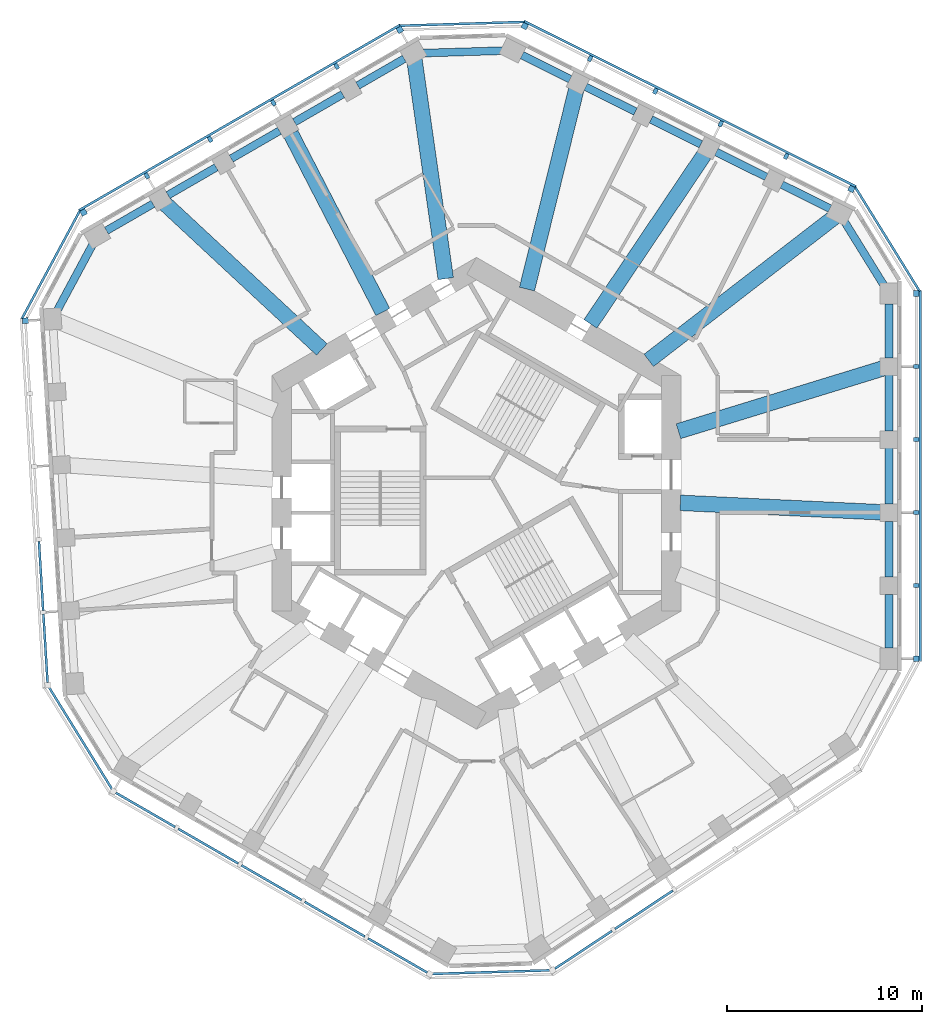
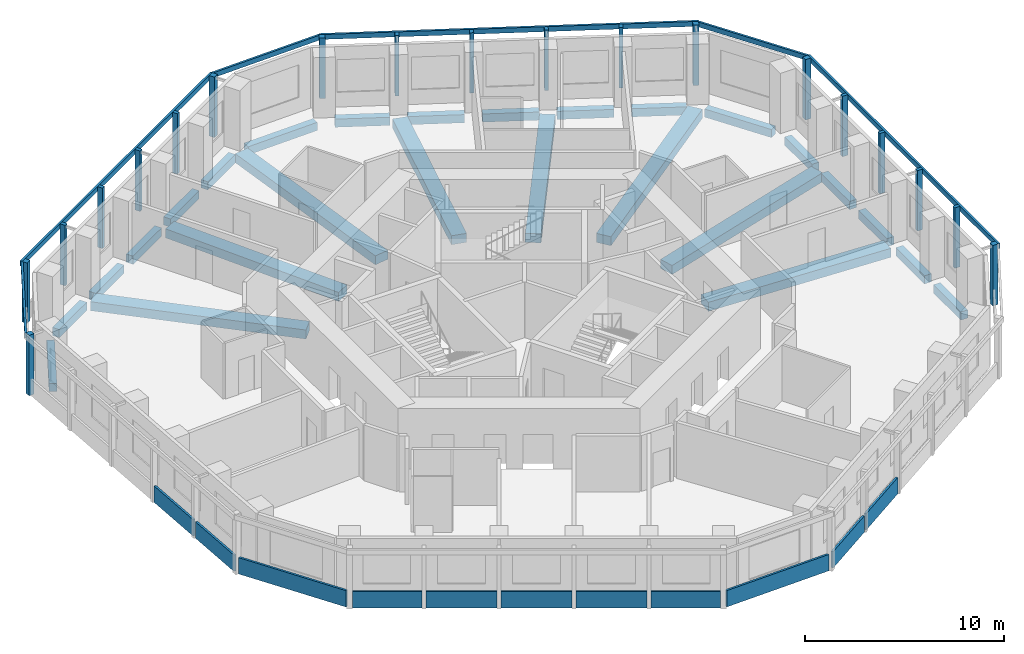
# One storey, part 2 of 11: 26 beams, 25 members, 11 plates, 11 elements without a shape of their own.
"""IFC4 building model written with IfcOpenShell, lengths in metres."""

import ifcopenshell
import ifcopenshell.guid

model = None  # the IFC model being written
_history = None  # IfcOwnerHistory: only IFC2X3 demands one
_inside = {}  # id of a spatial element -> (the spatial element, [elements in it])
_under = {}  # id of a project, library or spatial element -> (it, [spatial elements below it])
_declared = {}  # id of a project -> (the project, [libraries it declares])
_typed = {}  # id of a type object -> (the type object, [elements of that type])
_made_of = {}  # id of a material, layer set ... -> (it, [elements and type objects made of it])


def new_model(schema):
    """Start an empty IFC model of exactly this schema.

    Asked for "IFC4X3", IfcOpenShell would pick the latest addendum, in which some entities
    have other attributes; the version numbers below select the first issue.
    IFC2X3 requires an IfcOwnerHistory on every rooted entity: one is made here for all.
    """
    global model, _history
    if schema == "IFC4X3":
        model = ifcopenshell.file(schema_version=(4, 3, 0, 0))
    else:
        model = ifcopenshell.file(schema=schema)
    _inside.clear()
    _under.clear()
    _declared.clear()
    _typed.clear()
    _made_of.clear()
    _history = None
    if model.schema == "IFC2X3":
        org = make("IfcOrganization", Name="unknown")
        user = make(
            "IfcPersonAndOrganization",
            ThePerson=make("IfcPerson", FamilyName="unknown"),
            TheOrganization=org,
        )
        app = make(
            "IfcApplication",
            ApplicationDeveloper=org,
            Version="unknown",
            ApplicationFullName="unknown",
            ApplicationIdentifier="unknown",
        )
        _history = make(
            "IfcOwnerHistory",
            OwningUser=user,
            OwningApplication=app,
            ChangeAction="ADDED",
            CreationDate=0,
        )
    return model


def make(cls, **values):
    """One entity of the class cls with the attributes given. An attribute that is None is left unset."""
    return model.create_entity(
        cls, **{name: value for name, value in values.items() if value is not None}
    )


def rooted(cls, **values):
    """An entity with a GlobalId (a new one), such as an element, a storey or a relation."""
    return make(cls, GlobalId=ifcopenshell.guid.new(), OwnerHistory=_history, **values)


def si_unit(unit_type, name, prefix=None):
    """IfcSIUnit, for example si_unit("LENGTHUNIT", "METRE", prefix="MILLI")."""
    return make("IfcSIUnit", UnitType=unit_type, Prefix=prefix, Name=name)


def assignment(units):
    """IfcUnitAssignment: the units of a project."""
    return None if units is None else make("IfcUnitAssignment", Units=units)


def point(xyz):
    """IfcCartesianPoint."""
    return None if xyz is None else make("IfcCartesianPoint", Coordinates=xyz)


def direction(xyz):
    """IfcDirection."""
    return None if xyz is None else make("IfcDirection", DirectionRatios=xyz)


def frame(location, z_axis=None, x_axis=None):
    """IfcAxis2Placement3D, a coordinate frame: its origin and axes. An axis left out is left unset."""
    return make(
        "IfcAxis2Placement3D",
        Location=point(location),
        Axis=direction(z_axis),
        RefDirection=direction(x_axis),
    )


def frame_2d(location, x_axis=None):
    """IfcAxis2Placement2D, a coordinate frame in the plane: its origin and x axis."""
    return make(
        "IfcAxis2Placement2D", Location=point(location), RefDirection=direction(x_axis)
    )


def origin():
    """The frame at (0, 0, 0) with its axes left unset."""
    return frame((0.0, 0.0, 0.0))


def origin_2d():
    """The frame at (0, 0) in the plane with its x axis left unset."""
    return frame_2d((0.0, 0.0))


def place(relative_to, where):
    """IfcLocalPlacement: puts the frame where relative to a parent placement (None: the world)."""
    return make(
        "IfcLocalPlacement", PlacementRelTo=relative_to, RelativePlacement=where
    )


def context(
    kind, dimensions, precision=None, world=None, true_north=None, identifier=None
):
    """IfcGeometricRepresentationContext, for example the 3D "Model" context."""
    return make(
        "IfcGeometricRepresentationContext",
        ContextIdentifier=identifier,
        ContextType=kind,
        CoordinateSpaceDimension=dimensions,
        Precision=precision,
        WorldCoordinateSystem=world,
        TrueNorth=true_north,
    )


def subcontext(parent, identifier, kind, view, scale=None):
    """IfcGeometricRepresentationSubContext, for example "Body" below "Model"."""
    return make(
        "IfcGeometricRepresentationSubContext",
        ContextIdentifier=identifier,
        ContextType=kind,
        ParentContext=parent,
        TargetScale=scale,
        TargetView=view,
    )


def project(units=None, contexts=None):
    """IfcProject with its units and contexts."""
    return rooted(
        "IfcProject",
        Name="project",
        RepresentationContexts=contexts,
        UnitsInContext=assignment(units),
    )


def spatial(cls, under=None, at=None, **own):
    """A site, building, storey or space (cls), placed at a placement, below another one or the project."""
    s = rooted(cls, ObjectPlacement=at, **own)
    if under is not None:
        _under.setdefault(under.id(), (under, []))[1].append(s)
    return s


def profile(cls, at=None, kind="AREA", **sizes):
    """A parametric profile (cls). Its sizes go by their IFC names, for example OverallWidth=200.0."""
    return make(cls, ProfileType=kind, Position=at, **sizes)


def rectangle(**sizes):
    """IfcRectangleProfileDef."""
    return profile("IfcRectangleProfileDef", **sizes)


def extrude(swept, where, along, depth):
    """IfcExtrudedAreaSolid: the profile swept, set in the frame where, extruded along a direction by depth."""
    return make(
        "IfcExtrudedAreaSolid",
        SweptArea=swept,
        Position=where,
        ExtrudedDirection=direction(along),
        Depth=depth,
    )


def shape(context_of_items, identifier, shape_type, items):
    """IfcShapeRepresentation: the items that make up one representation, for example the "Body"."""
    return make(
        "IfcShapeRepresentation",
        ContextOfItems=context_of_items,
        RepresentationIdentifier=identifier,
        RepresentationType=shape_type,
        Items=items,
    )


def material(Name=None, Category=None):
    """IfcMaterial."""
    return make("IfcMaterial", Name=Name, Category=Category)


def layer(
    of_material, thickness, ventilated=None, Name=None, Category=None, Priority=None
):
    """IfcMaterialLayer: one layer of a wall or slab, of a material (None: an air gap)."""
    return make(
        "IfcMaterialLayer",
        Material=of_material,
        LayerThickness=thickness,
        IsVentilated=ventilated,
        Name=Name,
        Category=Category,
        Priority=Priority,
    )


def layer_set(layers, Name=None):
    """IfcMaterialLayerSet."""
    return make("IfcMaterialLayerSet", MaterialLayers=layers, LayerSetName=Name)


def material_profile(
    of_material, cross_section, Name=None, Category=None, Priority=None
):
    """IfcMaterialProfile: a cross section and its material."""
    return make(
        "IfcMaterialProfile",
        Name=Name,
        Material=of_material,
        Profile=cross_section,
        Priority=Priority,
        Category=Category,
    )


def profile_set(profiles, Name=None, composite=None):
    """IfcMaterialProfileSet."""
    return make(
        "IfcMaterialProfileSet",
        Name=Name,
        MaterialProfiles=profiles,
        CompositeProfile=composite,
    )


def made_of(thing, what):
    """Note that an element or type object is made of a material, layer set ...; save() writes the relation."""
    if what is not None:
        _made_of.setdefault(what.id(), (what, []))[1].append(thing)
    return thing


def type_object(cls, material=None, **own):
    """A type object (cls), such as IfcWallType, which elements share."""
    return made_of(rooted(cls, **own), material)


def element(
    cls,
    number,
    at=None,
    inside=None,
    cuts=None,
    type_object=None,
    material=None,
    context=None,
    identifier="Body",
    shape_type=None,
    held_by="IfcProductDefinitionShape",
    body=None,
    shapes=None,
    **own,
):
    """One element of the class cls, such as IfcWall. Its Tag is "e" and its number.

    at: its placement. inside: the storey or other place that contains it. cuts: it is an
    opening in that element (IfcRelVoidsElement). A single representation is given by context,
    identifier, shape_type and body (its items); several are given by shapes. held_by: the class
    of the entity that holds the representations. save() writes the other relations.
    """
    e = rooted(cls, Tag="e%d" % number, ObjectPlacement=at, **own)
    if body is not None:
        shapes = [shape(context, identifier, shape_type, body)]
    if shapes is not None:
        e.Representation = make(held_by, Representations=shapes)
    if inside is not None:
        _inside.setdefault(inside.id(), (inside, []))[1].append(e)
    if cuts is not None:
        rooted(
            "IfcRelVoidsElement", RelatingBuildingElement=cuts, RelatedOpeningElement=e
        )
    if type_object is not None:
        _typed.setdefault(type_object.id(), (type_object, []))[1].append(e)
    return made_of(e, material)


def aggregate(whole, parts):
    """IfcRelAggregates: a whole, such as a stair, and the parts it consists of."""
    return rooted("IfcRelAggregates", RelatingObject=whole, RelatedObjects=parts)


def save(model, path):
    """Write the relations noted so far, then the file.

    IfcRelAggregates (storeys below a building ...), IfcRelContainedInSpatialStructure (elements
    in a storey), IfcRelDefinesByType, IfcRelAssociatesMaterial and IfcRelDeclares: one each for
    every whole, place, type object, material and project.
    """
    for whole, parts in _under.values():
        aggregate(whole, parts)
    for where, things in _inside.values():
        rooted(
            "IfcRelContainedInSpatialStructure",
            RelatedElements=things,
            RelatingStructure=where,
        )
    for kind, things in _typed.values():
        rooted("IfcRelDefinesByType", RelatedObjects=things, RelatingType=kind)
    for what, things in _made_of.values():
        rooted("IfcRelAssociatesMaterial", RelatedObjects=things, RelatingMaterial=what)
    for by, libraries in _declared.values():
        rooted("IfcRelDeclares", RelatingContext=by, RelatedDefinitions=libraries)
    model.write(path)


model = new_model("IFC4")

# Units and contexts
model_context = context("Model", 3, precision=1e-05, world=origin(), true_north=direction((0.0, 1.0)))
body_context = subcontext(model_context, "Body", "Model", "MODEL_VIEW")
ifc_project = project(units=[si_unit("LENGTHUNIT", "METRE"), si_unit("AREAUNIT", "SQUARE_METRE"), si_unit("VOLUMEUNIT", "CUBIC_METRE"), si_unit("PLANEANGLEUNIT", "RADIAN"), si_unit("MASSUNIT", "GRAM", prefix="KILO")], contexts=[model_context])

# Site, building, storey
site_placement = place(None, origin())
site = spatial("IfcSite", under=ifc_project, at=site_placement, CompositionType="ELEMENT")
building_placement = place(site_placement, origin())
building = spatial("IfcBuilding", under=site, at=building_placement, Name="Vanh Sen Convention Tower", CompositionType="ELEMENT")
storey_placement = place(building_placement, frame((0.0, 0.0, 183.60009765625)))
storey = spatial("IfcBuildingStorey", under=building, at=storey_placement, Name="L45", CompositionType="ELEMENT", Elevation=183.60009765625)

# Curtain wall, members
ifc_material_1 = material(Name="Concrete C50/60", Category="concrete")
curtain_wall_type = type_object("IfcCurtainWallType", Name="Outer skin office zone", PredefinedType="NOTDEFINED", material=ifc_material_1)
curtain_wall_1_placement = place(storey_placement, origin())
curtain_wall_1 = element("IfcCurtainWall", 1, at=curtain_wall_1_placement, inside=storey, type_object=curtain_wall_type, Name="OUTER SKIN E L45", PredefinedType="NOTDEFINED")
ifc_material_profile_1 = material_profile(ifc_material_1, rectangle(XDim=0.300048828125, YDim=0.300048828125, at=origin_2d()), Name="Outer skin precast corner fin 300 x 300")
ifc_profile_set_1 = profile_set([ifc_material_profile_1], Name="Concrete C50/60")
member_type_1 = type_object("IfcMemberType", Name="Outer skin precast corner fin 300 x 300", PredefinedType="MULLION", material=ifc_profile_set_1)
member_1_placement = place(storey_placement, frame((22.60009765625, -8.5009765625, 0.0), z_axis=(0.0, 0.0, 1.0), x_axis=(0.0, 1.0, 0.0)))
member_1 = element("IfcMember", 2, at=member_1_placement, type_object=member_type_1, Name="OUTER SKIN CORNER FIN 1 E L45", PredefinedType="MULLION", context=body_context, shape_type="SweptSolid", body=[
    extrude(rectangle(XDim=0.300048828125, YDim=0.300048828125, at=origin_2d()), origin(), (0.0, 0.0, 1.0), 3.699951171875),
])
member_2_placement = place(storey_placement, frame((22.60009765625, 10.26953125, 0.0), z_axis=(0.0, 0.0, 1.0), x_axis=(0.0, 1.0, 0.0)))
member_2 = element("IfcMember", 3, at=member_2_placement, type_object=member_type_1, Name="OUTER SKIN CORNER FIN 6 E L45", PredefinedType="MULLION", context=body_context, shape_type="SweptSolid", body=[
    extrude(rectangle(XDim=0.300048828125, YDim=0.300048828125, at=origin_2d()), origin(), (0.0, 0.0, 1.0), 3.699951171875),
])

curtain_wall_2_placement = place(storey_placement, origin())
curtain_wall_2 = element("IfcCurtainWall", 4, at=curtain_wall_2_placement, inside=storey, type_object=curtain_wall_type, Name="OUTER SKIN NE L45", PredefinedType="NOTDEFINED")
member_3_placement = place(storey_placement, frame((19.274658203125, 15.643310546875, 0.0), z_axis=(0.0, 0.0, 1.0), x_axis=(-0.894934361602, 0.44619781311, 0.0)))
member_3 = element("IfcMember", 5, at=member_3_placement, type_object=member_type_1, Name="OUTER SKIN CORNER FIN 1 NE L45", PredefinedType="MULLION", context=body_context, shape_type="SweptSolid", body=[
    extrude(rectangle(XDim=0.300048828125, YDim=0.300048828125, at=origin_2d()), origin(), (0.0, 0.0, 1.0), 3.699951171875),
])
member_4_placement = place(storey_placement, frame((2.476318359375, 24.0185546875, 0.0), z_axis=(0.0, 0.0, 1.0), x_axis=(-0.894934361602, 0.44619781311, 0.0)))
member_4 = element("IfcMember", 6, at=member_4_placement, type_object=member_type_1, Name="OUTER SKIN CORNER FIN 6 NE L45", PredefinedType="MULLION", context=body_context, shape_type="SweptSolid", body=[
    extrude(rectangle(XDim=0.300048828125, YDim=0.300048828125, at=origin_2d()), origin(), (0.0, 0.0, 1.0), 3.699951171875),
])

curtain_wall_3_placement = place(storey_placement, origin())
curtain_wall_3 = element("IfcCurtainWall", 7, at=curtain_wall_3_placement, inside=storey, type_object=curtain_wall_type, Name="OUTER SKIN NW L45", PredefinedType="NOTDEFINED")
member_5_placement = place(storey_placement, frame((-3.93798828125, 23.822509765625, 0.0), z_axis=(0.0, 0.0, 1.0), x_axis=(-0.866025403784, -0.5, 0.0)))
member_5 = element("IfcMember", 8, at=member_5_placement, type_object=member_type_1, Name="OUTER SKIN CORNER FIN 1 NW L45", PredefinedType="MULLION", context=body_context, shape_type="SweptSolid", body=[
    extrude(rectangle(XDim=0.300048828125, YDim=0.300048828125, at=origin_2d()), origin(), (0.0, 0.0, 1.0), 3.699951171875),
])
member_6_placement = place(storey_placement, frame((-20.193603515625, 14.4375, 0.0), z_axis=(0.0, 0.0, 1.0), x_axis=(-0.866025403784, -0.5, 0.0)))
member_6 = element("IfcMember", 9, at=member_6_placement, type_object=member_type_1, Name="OUTER SKIN CORNER FIN 6 NW L45", PredefinedType="MULLION", context=body_context, shape_type="SweptSolid", body=[
    extrude(rectangle(XDim=0.300048828125, YDim=0.300048828125, at=origin_2d()), origin(), (0.0, 0.0, 1.0), 3.699951171875),
])

# Curtain wall, member
curtain_wall_4_placement = place(storey_placement, origin())
curtain_wall_4 = element("IfcCurtainWall", 10, at=curtain_wall_4_placement, inside=storey, type_object=curtain_wall_type, Name="OUTER SKIN W L45", PredefinedType="NOTDEFINED")
member_7_placement = place(storey_placement, frame((-23.184814453125, 8.87060546875, 0.0), z_axis=(0.0, 0.0, 1.0), x_axis=(0.061048539535, -0.998134798422, 0.0)))
member_7 = element("IfcMember", 11, at=member_7_placement, type_object=member_type_1, Name="OUTER SKIN CORNER FIN 1 W L45", PredefinedType="MULLION", context=body_context, shape_type="SweptSolid", body=[
    extrude(rectangle(XDim=0.300048828125, YDim=0.300048828125, at=origin_2d()), origin(), (0.0, 0.0, 1.0), 3.699951171875),
])

# Member
ifc_material_profile_2 = material_profile(ifc_material_1, rectangle(XDim=0.199951171875, YDim=0.300048828125, at=origin_2d()), Name="Outer skin precast fin 200 x 300")
ifc_profile_set_2 = profile_set([ifc_material_profile_2], Name="Concrete C50/60")
member_type_2 = type_object("IfcMemberType", Name="Outer skin precast fin 200 x 300", PredefinedType="MULLION", material=ifc_profile_set_2)
member_8_placement = place(storey_placement, frame((22.60009765625, -4.746826171875, 0.0), z_axis=(0.0, 0.0, 1.0), x_axis=(0.0, 1.0, 0.0)))
member_8 = element("IfcMember", 12, at=member_8_placement, type_object=member_type_2, Name="OUTER SKIN fin 2 E L45", PredefinedType="MULLION", context=body_context, shape_type="SweptSolid", body=[
    extrude(rectangle(XDim=0.199951171875, YDim=0.300048828125, at=origin_2d()), origin(), (0.0, 0.0, 1.0), 3.699951171875),
])

member_9_placement = place(storey_placement, frame((22.60009765625, -0.992919921875, 0.0), z_axis=(0.0, 0.0, 1.0), x_axis=(0.0, 1.0, 0.0)))
member_9 = element("IfcMember", 13, at=member_9_placement, type_object=member_type_2, Name="OUTER SKIN fin 3 E L45", PredefinedType="MULLION", context=body_context, shape_type="SweptSolid", body=[
    extrude(rectangle(XDim=0.199951171875, YDim=0.300048828125, at=origin_2d()), origin(), (0.0, 0.0, 1.0), 3.699951171875),
])

member_10_placement = place(storey_placement, frame((22.60009765625, 2.76123046875, 0.0), z_axis=(0.0, 0.0, 1.0), x_axis=(0.0, 1.0, 0.0)))
member_10 = element("IfcMember", 14, at=member_10_placement, type_object=member_type_2, Name="OUTER SKIN fin 4 E L45", PredefinedType="MULLION", context=body_context, shape_type="SweptSolid", body=[
    extrude(rectangle(XDim=0.199951171875, YDim=0.300048828125, at=origin_2d()), origin(), (0.0, 0.0, 1.0), 3.699951171875),
])

member_11_placement = place(storey_placement, frame((22.60009765625, 6.515380859375, 0.0), z_axis=(0.0, 0.0, 1.0), x_axis=(0.0, 1.0, 0.0)))
member_11 = element("IfcMember", 15, at=member_11_placement, type_object=member_type_2, Name="OUTER SKIN fin 5 E L45", PredefinedType="MULLION", context=body_context, shape_type="SweptSolid", body=[
    extrude(rectangle(XDim=0.199951171875, YDim=0.300048828125, at=origin_2d()), origin(), (0.0, 0.0, 1.0), 3.699951171875),
])

member_12_placement = place(storey_placement, frame((15.9150390625, 17.318359375, 0.0), z_axis=(0.0, 0.0, 1.0), x_axis=(-0.894934361602, 0.44619781311, 0.0)))
member_12 = element("IfcMember", 16, at=member_12_placement, type_object=member_type_2, Name="OUTER SKIN fin 2 NE L45", PredefinedType="MULLION", context=body_context, shape_type="SweptSolid", body=[
    extrude(rectangle(XDim=0.199951171875, YDim=0.300048828125, at=origin_2d()), origin(), (0.0, 0.0, 1.0), 3.699951171875),
])

member_13_placement = place(storey_placement, frame((12.555419921875, 18.993408203125, 0.0), z_axis=(0.0, 0.0, 1.0), x_axis=(-0.894934361602, 0.44619781311, 0.0)))
member_13 = element("IfcMember", 17, at=member_13_placement, type_object=member_type_2, Name="OUTER SKIN fin 3 NE L45", PredefinedType="MULLION", context=body_context, shape_type="SweptSolid", body=[
    extrude(rectangle(XDim=0.199951171875, YDim=0.300048828125, at=origin_2d()), origin(), (0.0, 0.0, 1.0), 3.699951171875),
])

member_14_placement = place(storey_placement, frame((9.195556640625, 20.66845703125, 0.0), z_axis=(0.0, 0.0, 1.0), x_axis=(-0.894934361602, 0.44619781311, 0.0)))
member_14 = element("IfcMember", 18, at=member_14_placement, type_object=member_type_2, Name="OUTER SKIN fin 4 NE L45", PredefinedType="MULLION", context=body_context, shape_type="SweptSolid", body=[
    extrude(rectangle(XDim=0.199951171875, YDim=0.300048828125, at=origin_2d()), origin(), (0.0, 0.0, 1.0), 3.699951171875),
])

member_15_placement = place(storey_placement, frame((5.8359375, 22.343505859375, 0.0), z_axis=(0.0, 0.0, 1.0), x_axis=(-0.894934361602, 0.44619781311, 0.0)))
member_15 = element("IfcMember", 19, at=member_15_placement, type_object=member_type_2, Name="OUTER SKIN fin 5 NE L45", PredefinedType="MULLION", context=body_context, shape_type="SweptSolid", body=[
    extrude(rectangle(XDim=0.199951171875, YDim=0.300048828125, at=origin_2d()), origin(), (0.0, 0.0, 1.0), 3.699951171875),
])

member_16_placement = place(storey_placement, frame((-7.189208984375, 21.945556640625, 0.0), z_axis=(0.0, 0.0, 1.0), x_axis=(-0.866025403784, -0.5, 0.0)))
member_16 = element("IfcMember", 20, at=member_16_placement, type_object=member_type_2, Name="OUTER SKIN fin 2 NW L45", PredefinedType="MULLION", context=body_context, shape_type="SweptSolid", body=[
    extrude(rectangle(XDim=0.199951171875, YDim=0.300048828125, at=origin_2d()), origin(), (0.0, 0.0, 1.0), 3.699951171875),
])

member_17_placement = place(storey_placement, frame((-10.440185546875, 20.068603515625, 0.0), z_axis=(0.0, 0.0, 1.0), x_axis=(-0.866025403784, -0.5, 0.0)))
member_17 = element("IfcMember", 21, at=member_17_placement, type_object=member_type_2, Name="OUTER SKIN fin 3 NW L45", PredefinedType="MULLION", context=body_context, shape_type="SweptSolid", body=[
    extrude(rectangle(XDim=0.199951171875, YDim=0.300048828125, at=origin_2d()), origin(), (0.0, 0.0, 1.0), 3.699951171875),
])

member_18_placement = place(storey_placement, frame((-13.69140625, 18.19140625, 0.0), z_axis=(0.0, 0.0, 1.0), x_axis=(-0.866025403784, -0.5, 0.0)))
member_18 = element("IfcMember", 22, at=member_18_placement, type_object=member_type_2, Name="OUTER SKIN fin 4 NW L45", PredefinedType="MULLION", context=body_context, shape_type="SweptSolid", body=[
    extrude(rectangle(XDim=0.199951171875, YDim=0.300048828125, at=origin_2d()), origin(), (0.0, 0.0, 1.0), 3.699951171875),
])

member_19_placement = place(storey_placement, frame((-16.9423828125, 16.314453125, 0.0), z_axis=(0.0, 0.0, 1.0), x_axis=(-0.866025403784, -0.5, 0.0)))
member_19 = element("IfcMember", 23, at=member_19_placement, type_object=member_type_2, Name="OUTER SKIN fin 5 NW L45", PredefinedType="MULLION", context=body_context, shape_type="SweptSolid", body=[
    extrude(rectangle(XDim=0.199951171875, YDim=0.300048828125, at=origin_2d()), origin(), (0.0, 0.0, 1.0), 3.699951171875),
])

ifc_material_profile_3 = material_profile(ifc_material_1, rectangle(XDim=0.1201171875, YDim=0.300048828125, at=origin_2d()), Name="Outer skin precast spandrel band 300 x 120")
ifc_profile_set_3 = profile_set([ifc_material_profile_3], Name="Concrete C50/60")
member_type_3 = type_object("IfcMemberType", Name="Outer skin precast spandrel band 300 x 120", PredefinedType="USERDEFINED", material=ifc_profile_set_3)
member_20_placement = place(storey_placement, frame((22.81005859375, -8.65087890625, 3.5498046875), z_axis=(0.0, 1.0, 0.0), x_axis=(-1.0, 0.0, 0.0)))
member_20 = element("IfcMember", 24, at=member_20_placement, type_object=member_type_3, Name="OUTER SKIN spandrel band E L45", ObjectType="TRANSOM", PredefinedType="USERDEFINED", context=body_context, shape_type="SweptSolid", body=[
    extrude(rectangle(XDim=0.1201171875, YDim=0.300048828125, at=origin_2d()), origin(), (0.0, 0.0, 1.0), 19.0703125),
])

aggregate(curtain_wall_1, [member_1, member_8, member_9, member_10, member_11, member_2, member_20])

# Curtain wall, member
curtain_wall_5_placement = place(storey_placement, origin())
curtain_wall_5 = element("IfcCurtainWall", 25, at=curtain_wall_5_placement, inside=storey, type_object=curtain_wall_type, Name="OUTER SKIN CH1 L45", PredefinedType="NOTDEFINED")
member_21_placement = place(storey_placement, frame((22.778564453125, 10.3798828125, 3.5498046875), z_axis=(-0.526173726926, 0.850377098171, 0.0), x_axis=(-0.850377098171, -0.526173726926, 0.0)))
member_21 = element("IfcMember", 26, at=member_21_placement, type_object=member_type_3, Name="OUTER SKIN spandrel band CH1 L45", ObjectType="TRANSOM", PredefinedType="USERDEFINED", context=body_context, shape_type="SweptSolid", body=[
    extrude(rectangle(XDim=0.1201171875, YDim=0.300048828125, at=origin_2d()), origin(), (0.0, 0.0, 1.0), 6.319580078125),
])
aggregate(curtain_wall_5, [member_21])

# Member
member_22_placement = place(storey_placement, frame((19.502685546875, 15.764404296875, 3.5498046875), z_axis=(-0.894941234474, 0.446184027996, 0.0), x_axis=(-0.446184027996, -0.894941234474, 0.0)))
member_22 = element("IfcMember", 27, at=member_22_placement, type_object=member_type_3, Name="OUTER SKIN spandrel band NE L45", ObjectType="TRANSOM", PredefinedType="USERDEFINED", context=body_context, shape_type="SweptSolid", body=[
    extrude(rectangle(XDim=0.1201171875, YDim=0.300048828125, at=origin_2d()), origin(), (0.0, 0.0, 1.0), 19.07080078125),
])

aggregate(curtain_wall_2, [member_3, member_12, member_13, member_14, member_15, member_4, member_22])

# Curtain wall, member
curtain_wall_6_placement = place(storey_placement, origin())
curtain_wall_6 = element("IfcCurtainWall", 28, at=curtain_wall_6_placement, inside=storey, type_object=curtain_wall_type, Name="OUTER SKIN CH2 L45", PredefinedType="NOTDEFINED")
member_23_placement = place(storey_placement, frame((2.4697265625, 24.228515625, 3.5498046875), z_axis=(-0.999533221695, -0.030550592913, 0.0), x_axis=(0.030550592913, -0.999533221695, 0.0)))
member_23 = element("IfcMember", 29, at=member_23_placement, type_object=member_type_3, Name="OUTER SKIN spandrel band CH2 L45", ObjectType="TRANSOM", PredefinedType="USERDEFINED", context=body_context, shape_type="SweptSolid", body=[
    extrude(rectangle(XDim=0.1201171875, YDim=0.300048828125, at=origin_2d()), origin(), (0.0, 0.0, 1.0), 6.4169921875),
])
aggregate(curtain_wall_6, [member_23])

# Member
member_24_placement = place(storey_placement, frame((-3.9130859375, 24.07958984375, 3.5498046875), z_axis=(-0.866023136587, -0.500003926881, 0.0), x_axis=(0.500003926881, -0.866023136587, 0.0)))
member_24 = element("IfcMember", 30, at=member_24_placement, type_object=member_type_3, Name="OUTER SKIN spandrel band NW L45", ObjectType="TRANSOM", PredefinedType="USERDEFINED", context=body_context, shape_type="SweptSolid", body=[
    extrude(rectangle(XDim=0.1201171875, YDim=0.300048828125, at=origin_2d()), origin(), (0.0, 0.0, 1.0), 19.070556640625),
])

aggregate(curtain_wall_3, [member_5, member_16, member_17, member_18, member_19, member_6, member_24])

# Curtain wall, member
curtain_wall_7_placement = place(storey_placement, origin())
curtain_wall_7 = element("IfcCurtainWall", 31, at=curtain_wall_7_placement, inside=storey, type_object=curtain_wall_type, Name="OUTER SKIN CH3 L45", PredefinedType="NOTDEFINED")
member_25_placement = place(storey_placement, frame((-20.378662109375, 14.536865234375, 3.5498046875), z_axis=(-0.47333707755, -0.880881383057, 0.0), x_axis=(0.880881383057, -0.47333707755, 0.0)))
member_25 = element("IfcMember", 32, at=member_25_placement, type_object=member_type_3, Name="OUTER SKIN spandrel band CH3 L45", ObjectType="TRANSOM", PredefinedType="USERDEFINED", context=body_context, shape_type="SweptSolid", body=[
    extrude(rectangle(XDim=0.1201171875, YDim=0.300048828125, at=origin_2d()), origin(), (0.0, 0.0, 1.0), 6.3193359375),
])
aggregate(curtain_wall_7, [member_25])

# Beams
ifc_material_2 = material(Name="Concrete C50/60", Category="concrete")
ifc_material_profile_4 = material_profile(ifc_material_2, rectangle(XDim=0.800048828125, YDim=0.550048828125, at=origin_2d()), Name="RC 800X550")
ifc_profile_set_4 = profile_set([ifc_material_profile_4], Name="Concrete C50/60")
beam_type_1 = type_object("IfcBeamType", Name="Radial floor beam 800 x 550", PredefinedType="BEAM", material=ifc_profile_set_4)
beam_1_placement = place(storey_placement, frame((20.773681640625, -0.972900390625, -0.55517578125), z_axis=(-0.998904385593, 0.046797739721, 0.0), x_axis=(-0.046797739721, -0.998904385593, 0.0)))
element("IfcBeam", 33, at=beam_1_placement, inside=storey, type_object=beam_type_1, Name="Radial beam 02 L45", PredefinedType="BEAM", context=body_context, shape_type="SweptSolid", body=[
    extrude(rectangle(XDim=0.800048828125, YDim=0.550048828125, at=origin_2d()), origin(), (0.0, 0.0, 1.0), 10.30859375),
])
beam_2_placement = place(storey_placement, frame((20.984619140625, 6.44921875, -0.55517578125), z_axis=(-0.955877901986, -0.293764253264, 0.0), x_axis=(0.293764253264, -0.955877901986, 0.0)))
element("IfcBeam", 34, at=beam_2_placement, inside=storey, type_object=beam_type_1, Name="Radial beam 03 L45", PredefinedType="BEAM", context=body_context, shape_type="SweptSolid", body=[
    extrude(rectangle(XDim=0.800048828125, YDim=0.550048828125, at=origin_2d()), origin(), (0.0, 0.0, 1.0), 11.096435546875),
])
beam_3_placement = place(storey_placement, frame((18.41162109375, 14.206298828125, -0.55517578125), z_axis=(-0.791722449679, -0.610880972591, 0.0), x_axis=(0.610880972591, -0.791722449679, 0.0)))
element("IfcBeam", 35, at=beam_3_placement, inside=storey, type_object=beam_type_1, Name="Radial beam 04 L45", PredefinedType="BEAM", context=body_context, shape_type="SweptSolid", body=[
    extrude(rectangle(XDim=0.800048828125, YDim=0.550048828125, at=origin_2d()), origin(), (0.0, 0.0, 1.0), 12.072021484375),
])
beam_4_placement = place(storey_placement, frame((11.709228515625, 17.411376953125, -0.55517578125), z_axis=(-0.55804705103, -0.829809308719, 0.0), x_axis=(0.829809308719, -0.55804705103, 0.0)))
element("IfcBeam", 36, at=beam_4_placement, inside=storey, type_object=beam_type_1, Name="Radial beam 05 L45", PredefinedType="BEAM", context=body_context, shape_type="SweptSolid", body=[
    extrude(rectangle(XDim=0.800048828125, YDim=0.550048828125, at=origin_2d()), origin(), (0.0, 0.0, 1.0), 10.490234375),
])
beam_5_placement = place(storey_placement, frame((5.14697265625, 20.83056640625, -0.55517578125), z_axis=(-0.239880379488, -0.970802453405, 0.0), x_axis=(0.970802453405, -0.239880379488, 0.0)))
element("IfcBeam", 37, at=beam_5_placement, inside=storey, type_object=beam_type_1, Name="Radial beam 06 L45", PredefinedType="BEAM", context=body_context, shape_type="SweptSolid", body=[
    extrude(rectangle(XDim=0.800048828125, YDim=0.550048828125, at=origin_2d()), origin(), (0.0, 0.0, 1.0), 10.647705078125),
])
beam_6_placement = place(storey_placement, frame((-3.192626953125, 22.2939453125, -0.55517578125), z_axis=(0.141775948022, -0.989898772887, 0.0), x_axis=(0.989898772887, 0.141775948022, 0.0)))
element("IfcBeam", 38, at=beam_6_placement, inside=storey, type_object=beam_type_1, Name="Radial beam 07 L45", PredefinedType="BEAM", context=body_context, shape_type="SweptSolid", body=[
    extrude(rectangle(XDim=0.800048828125, YDim=0.550048828125, at=origin_2d()), origin(), (0.0, 0.0, 1.0), 11.3740234375),
])
beam_7_placement = place(storey_placement, frame((-9.544189453125, 18.476806640625, -0.55517578125), z_axis=(0.458940914306, -0.888466790137, 0.0), x_axis=(0.888466790137, 0.458940914306, 0.0)))
element("IfcBeam", 39, at=beam_7_placement, inside=storey, type_object=beam_type_1, Name="Radial beam 08 L45", PredefinedType="BEAM", context=body_context, shape_type="SweptSolid", body=[
    extrude(rectangle(XDim=0.800048828125, YDim=0.550048828125, at=origin_2d()), origin(), (0.0, 0.0, 1.0), 10.308349609375),
])
beam_8_placement = place(storey_placement, frame((-16.077392578125, 14.948486328125, -0.55517578125), z_axis=(0.732348237662, -0.680930289232, 0.0), x_axis=(0.680930289232, 0.732348237662, 0.0)))
element("IfcBeam", 40, at=beam_8_placement, inside=storey, type_object=beam_type_1, Name="Radial beam 09 L45", PredefinedType="BEAM", context=body_context, shape_type="SweptSolid", body=[
    extrude(rectangle(XDim=0.800048828125, YDim=0.550048828125, at=origin_2d()), origin(), (0.0, 0.0, 1.0), 11.096435546875),
])
ifc_material_profile_5 = material_profile(ifc_material_2, rectangle(XDim=0.39990234375, YDim=0.5, at=origin_2d()), Name="RC 400X500")
ifc_profile_set_5 = profile_set([ifc_material_profile_5], Name="Concrete C50/60")
beam_type_2 = type_object("IfcBeamType", Name="Spandrel beam 400 x 500", PredefinedType="SPANDREL", material=ifc_profile_set_5)
beam_9_placement = place(storey_placement, frame((21.199951171875, -7.9560546875, -0.530029296875), z_axis=(0.0, 1.0, 0.0), x_axis=(-1.0, 0.0, 0.0)))
element("IfcBeam", 41, at=beam_9_placement, inside=storey, type_object=beam_type_2, Name="Spandrel beam 01 L45", PredefinedType="SPANDREL", context=body_context, shape_type="SweptSolid", body=[
    extrude(rectangle(XDim=0.39990234375, YDim=0.5, at=origin_2d()), origin(), (0.0, 0.0, 1.0), 2.76416015625),
])
for number, where, z_axis, x_axis, name in (
    (42, (21.199951171875, -4.302001953125, -0.530029296875), (0.0, 1.0, 0.0), (-1.0, 0.0, 0.0), "Spandrel beam 02 L45"),
    (43, (21.199951171875, -0.5478515625, -0.530029296875), (0.0, 1.0, 0.0), (-1.0, 0.0, 0.0), "Spandrel beam 03 L45"),
):
    element("IfcBeam", number, at=place(storey_placement, frame(where, z_axis=z_axis, x_axis=x_axis)), inside=storey, type_object=beam_type_2, Name=name, PredefinedType="SPANDREL", context=body_context, shape_type="SweptSolid", body=[
        extrude(rectangle(XDim=0.39990234375, YDim=0.5, at=origin_2d()), origin(), (0.0, 0.0, 1.0), 2.8642578125),
    ])
beam_10_placement = place(storey_placement, frame((21.199951171875, 3.206298828125, -0.530029296875), z_axis=(0.0, 1.0, 0.0), x_axis=(-1.0, 0.0, 0.0)))
element("IfcBeam", 44, at=beam_10_placement, inside=storey, type_object=beam_type_2, Name="Spandrel beam 04 L45", PredefinedType="SPANDREL", context=body_context, shape_type="SweptSolid", body=[
    extrude(rectangle(XDim=0.39990234375, YDim=0.5, at=origin_2d()), origin(), (0.0, 0.0, 1.0), 2.864013671875),
])
beam_11_placement = place(storey_placement, frame((21.199951171875, 6.96044921875, -0.530029296875), z_axis=(0.0, 1.0, 0.0), x_axis=(-1.0, 0.0, 0.0)))
element("IfcBeam", 45, at=beam_11_placement, inside=storey, type_object=beam_type_2, Name="Spandrel beam 05 L45", PredefinedType="SPANDREL", context=body_context, shape_type="SweptSolid", body=[
    extrude(rectangle(XDim=0.39990234375, YDim=0.5, at=origin_2d()), origin(), (0.0, 0.0, 1.0), 2.76416015625),
])
beam_12_placement = place(storey_placement, frame((20.927490234375, 10.7099609375, -0.530029296875), z_axis=(-0.526197985388, 0.850362087686, 0.0), x_axis=(-0.850362087686, -0.526197985388, 0.0)))
element("IfcBeam", 46, at=beam_12_placement, inside=storey, type_object=beam_type_2, Name="Spandrel beam 06 L45", PredefinedType="SPANDREL", context=body_context, shape_type="SweptSolid", body=[
    extrude(rectangle(XDim=0.39990234375, YDim=0.5, at=origin_2d()), origin(), (0.0, 0.0, 1.0), 3.81005859375),
])
beam_13_placement = place(storey_placement, frame((18.162353515625, 14.633544921875, -0.530029296875), z_axis=(-0.894938855842, 0.446188798945, 0.0), x_axis=(-0.446188798945, -0.894938855842, 0.0)))
element("IfcBeam", 47, at=beam_13_placement, inside=storey, type_object=beam_type_2, Name="Spandrel beam 07 L45", PredefinedType="SPANDREL", context=body_context, shape_type="SweptSolid", body=[
    extrude(rectangle(XDim=0.39990234375, YDim=0.5, at=origin_2d()), origin(), (0.0, 0.0, 1.0), 2.764404296875),
])
for number, where, z_axis, x_axis, name in (
    (48, (14.89208984375, 16.263916015625, -0.530029296875), (-0.894921028884, 0.446224553406, 0.0), (-0.446224553406, -0.894921028884, 0.0), "Spandrel beam 08 L45"),
    (49, (11.532470703125, 17.939208984375, -0.530029296875), (-0.894972032358, 0.446122249273, 0.0), (-0.446122249273, -0.894972032358, 0.0), "Spandrel beam 09 L45"),
):
    element("IfcBeam", number, at=place(storey_placement, frame(where, z_axis=z_axis, x_axis=x_axis)), inside=storey, type_object=beam_type_2, Name=name, PredefinedType="SPANDREL", context=body_context, shape_type="SweptSolid", body=[
        extrude(rectangle(XDim=0.39990234375, YDim=0.5, at=origin_2d()), origin(), (0.0, 0.0, 1.0), 2.8642578125),
    ])
beam_14_placement = place(storey_placement, frame((8.172607421875, 19.6142578125, -0.530029296875), z_axis=(-0.89495506643, 0.446156283236, 0.0), x_axis=(-0.446156283236, -0.89495506643, 0.0)))
element("IfcBeam", 50, at=beam_14_placement, inside=storey, type_object=beam_type_2, Name="Spandrel beam 10 L45", PredefinedType="SPANDREL", context=body_context, shape_type="SweptSolid", body=[
    extrude(rectangle(XDim=0.39990234375, YDim=0.5, at=origin_2d()), origin(), (0.0, 0.0, 1.0), 2.864013671875),
])
beam_15_placement = place(storey_placement, frame((4.81298828125, 21.289306640625, -0.530029296875), z_axis=(-0.894974121341, 0.446118058511, 0.0), x_axis=(-0.446118058511, -0.894974121341, 0.0)))
element("IfcBeam", 51, at=beam_15_placement, inside=storey, type_object=beam_type_2, Name="Spandrel beam 11 L45", PredefinedType="SPANDREL", context=body_context, shape_type="SweptSolid", body=[
    extrude(rectangle(XDim=0.39990234375, YDim=0.5, at=origin_2d()), origin(), (0.0, 0.0, 1.0), 2.76416015625),
])
beam_16_placement = place(storey_placement, frame((1.33984375, 22.75, -0.530029296875), z_axis=(-0.999533327508, -0.030547130814, 0.0), x_axis=(0.030547130814, -0.999533327508, 0.0)))
element("IfcBeam", 52, at=beam_16_placement, inside=storey, type_object=beam_type_2, Name="Spandrel beam 12 L45", PredefinedType="SPANDREL", context=body_context, shape_type="SweptSolid", body=[
    extrude(rectangle(XDim=0.39990234375, YDim=0.5, at=origin_2d()), origin(), (0.0, 0.0, 1.0), 4.068115234375),
])
beam_17_placement = place(storey_placement, frame((-3.7099609375, 22.337646484375, -0.530029296875), z_axis=(-0.866060565847, -0.499939092575, 0.0), x_axis=(0.499939092575, -0.866060565847, 0.0)))
element("IfcBeam", 53, at=beam_17_placement, inside=storey, type_object=beam_type_2, Name="Spandrel beam 13 L45", PredefinedType="SPANDREL", context=body_context, shape_type="SweptSolid", body=[
    extrude(rectangle(XDim=0.39990234375, YDim=0.5, at=origin_2d()), origin(), (0.0, 0.0, 1.0), 2.763916015625),
])
for number, where, z_axis, x_axis, name in (
    (54, (-6.87451171875, 20.5107421875, -0.530029296875), (-0.865999615357, -0.500044664207, 0.0), (0.500044664207, -0.865999615357, 0.0), "Spandrel beam 14 L45"),
    (55, (-10.12548828125, 18.633544921875, -0.530029296875), (-0.8660578368, -0.499943820161, 0.0), (0.499943820161, -0.8660578368, 0.0), "Spandrel beam 15 L45"),
):
    element("IfcBeam", number, at=place(storey_placement, frame(where, z_axis=z_axis, x_axis=x_axis)), inside=storey, type_object=beam_type_2, Name=name, PredefinedType="SPANDREL", context=body_context, shape_type="SweptSolid", body=[
        extrude(rectangle(XDim=0.39990234375, YDim=0.5, at=origin_2d()), origin(), (0.0, 0.0, 1.0), 2.864013671875),
    ])
beam_18_placement = place(storey_placement, frame((-13.376708984375, 16.756591796875, -0.530029296875), z_axis=(-0.866020927947, -0.500007752297, 0.0), x_axis=(0.500007752297, -0.866020927947, 0.0)))
element("IfcBeam", 56, at=beam_18_placement, inside=storey, type_object=beam_type_2, Name="Spandrel beam 16 L45", PredefinedType="SPANDREL", context=body_context, shape_type="SweptSolid", body=[
    extrude(rectangle(XDim=0.39990234375, YDim=0.5, at=origin_2d()), origin(), (0.0, 0.0, 1.0), 2.8642578125),
])
beam_19_placement = place(storey_placement, frame((-16.6279296875, 14.87939453125, -0.530029296875), z_axis=(-0.866060565847, -0.499939092575, 0.0), x_axis=(0.499939092575, -0.866060565847, 0.0)))
element("IfcBeam", 57, at=beam_19_placement, inside=storey, type_object=beam_type_2, Name="Spandrel beam 17 L45", PredefinedType="SPANDREL", context=body_context, shape_type="SweptSolid", body=[
    extrude(rectangle(XDim=0.39990234375, YDim=0.5, at=origin_2d()), origin(), (0.0, 0.0, 1.0), 2.763916015625),
])
beam_20_placement = place(storey_placement, frame((-19.739013671875, 12.768798828125, -0.530029296875), z_axis=(-0.473293335868, -0.880904886025, 0.0), x_axis=(0.880904886025, -0.473293335868, 0.0)))
element("IfcBeam", 58, at=beam_20_placement, inside=storey, type_object=beam_type_2, Name="Spandrel beam 18 L45", PredefinedType="SPANDREL", context=body_context, shape_type="SweptSolid", body=[
    extrude(rectangle(XDim=0.39990234375, YDim=0.5, at=origin_2d()), origin(), (0.0, 0.0, 1.0), 3.81005859375),
])

# Plate
ifc_layer = layer(ifc_material_1, 0.1201171875)
ifc_layer_set = layer_set([ifc_layer], Name="Concrete C50/60")
plate_type = type_object("IfcPlateType", Name="Outer skin precast screen panel 120", PredefinedType="CURTAIN_PANEL", material=ifc_layer_set)
plate_1_placement = place(storey_placement, frame((-22.382568359375, -4.244140625, 0.0), z_axis=(0.0, 0.0, 1.0), x_axis=(0.061025892559, -0.998136183312, 0.0)))
plate_1 = element("IfcPlate", 59, at=plate_1_placement, type_object=plate_type, Name="OUTER SKIN screen panel W-4", PredefinedType="CURTAIN_PANEL", context=body_context, shape_type="SweptSolid", body=[
    extrude(rectangle(XDim=3.55419921875, YDim=0.1201171875, at=origin_2d()), origin(), (0.0, 0.0, 1.0), 1.0),
])

plate_2_placement = place(storey_placement, frame((-22.155029296875, -7.96630859375, 0.0), z_axis=(0.0, 0.0, 1.0), x_axis=(0.061053765756, -0.998134478759, 0.0)))
plate_2 = element("IfcPlate", 60, at=plate_2_placement, type_object=plate_type, Name="OUTER SKIN screen panel W-5", PredefinedType="CURTAIN_PANEL", context=body_context, shape_type="SweptSolid", body=[
    extrude(rectangle(XDim=3.504150390625, YDim=0.1201171875, at=origin_2d()), origin(), (0.0, 0.0, 1.0), 1.0),
])

aggregate(curtain_wall_4, [member_7, plate_1, plate_2])

# Curtain wall, plate
curtain_wall_8_placement = place(storey_placement, origin())
curtain_wall_8 = element("IfcCurtainWall", 61, at=curtain_wall_8_placement, inside=storey, type_object=curtain_wall_type, Name="OUTER SKIN CH4 L45", PredefinedType="NOTDEFINED")
plate_3_placement = place(storey_placement, frame((-20.3505859375, -12.59326171875, 0.0), z_axis=(0.0, 0.0, 1.0), x_axis=(0.526218376078, -0.850349469734, 0.0)))
plate_3 = element("IfcPlate", 62, at=plate_3_placement, type_object=plate_type, Name="OUTER SKIN screen panel CH4-1", PredefinedType="CURTAIN_PANEL", context=body_context, shape_type="SweptSolid", body=[
    extrude(rectangle(XDim=6.1171875, YDim=0.1201171875, at=origin_2d()), origin(), (0.0, 0.0, 1.0), 1.0),
])
aggregate(curtain_wall_8, [plate_3])

# Curtain wall, plates
curtain_wall_9_placement = place(storey_placement, origin())
curtain_wall_9 = element("IfcCurtainWall", 63, at=curtain_wall_9_placement, inside=storey, type_object=curtain_wall_type, Name="OUTER SKIN SW L45", PredefinedType="NOTDEFINED")
plate_4_placement = place(storey_placement, frame((-17.014892578125, -16.272705078125, 0.0), z_axis=(0.0, 0.0, 1.0), x_axis=(0.86602365845, -0.500003022996, 0.0)))
plate_4 = element("IfcPlate", 64, at=plate_4_placement, type_object=plate_type, Name="OUTER SKIN screen panel SW-1", PredefinedType="CURTAIN_PANEL", context=body_context, shape_type="SweptSolid", body=[
    extrude(rectangle(XDim=3.504150390625, YDim=0.1201171875, at=origin_2d()), origin(), (0.0, 0.0, 1.0), 1.0),
])
plate_5_placement = place(storey_placement, frame((-13.785400390625, -18.13720703125, 0.0), z_axis=(0.0, 0.0, 1.0), x_axis=(0.866028021766, -0.499995465495, 0.0)))
plate_5 = element("IfcPlate", 65, at=plate_5_placement, type_object=plate_type, Name="OUTER SKIN screen panel SW-2", PredefinedType="CURTAIN_PANEL", context=body_context, shape_type="SweptSolid", body=[
    extrude(rectangle(XDim=3.553955078125, YDim=0.1201171875, at=origin_2d()), origin(), (0.0, 0.0, 1.0), 1.0),
])
plate_6_placement = place(storey_placement, frame((-10.5341796875, -20.014404296875, 0.0), z_axis=(0.0, 0.0, 1.0), x_axis=(0.86602365845, -0.500003022996, 0.0)))
plate_6 = element("IfcPlate", 66, at=plate_6_placement, type_object=plate_type, Name="OUTER SKIN screen panel SW-3", PredefinedType="CURTAIN_PANEL", context=body_context, shape_type="SweptSolid", body=[
    extrude(rectangle(XDim=3.55419921875, YDim=0.1201171875, at=origin_2d()), origin(), (0.0, 0.0, 1.0), 1.0),
])
plate_7_placement = place(storey_placement, frame((-7.283203125, -21.891357421875, 0.0), z_axis=(0.0, 0.0, 1.0), x_axis=(0.866016677006, -0.500015114919, 0.0)))
plate_7 = element("IfcPlate", 67, at=plate_7_placement, type_object=plate_type, Name="OUTER SKIN screen panel SW-4", PredefinedType="CURTAIN_PANEL", context=body_context, shape_type="SweptSolid", body=[
    extrude(rectangle(XDim=3.55419921875, YDim=0.1201171875, at=origin_2d()), origin(), (0.0, 0.0, 1.0), 1.0),
])
plate_8_placement = place(storey_placement, frame((-4.0537109375, -23.755859375, 0.0), z_axis=(0.0, 0.0, 1.0), x_axis=(0.866035002936, -0.499983373414, 0.0)))
plate_8 = element("IfcPlate", 68, at=plate_8_placement, type_object=plate_type, Name="OUTER SKIN screen panel SW-5", PredefinedType="CURTAIN_PANEL", context=body_context, shape_type="SweptSolid", body=[
    extrude(rectangle(XDim=3.504150390625, YDim=0.1201171875, at=origin_2d()), origin(), (0.0, 0.0, 1.0), 1.0),
])
aggregate(curtain_wall_9, [plate_4, plate_5, plate_6, plate_7, plate_8])

# Curtain wall, plate
curtain_wall_10_placement = place(storey_placement, origin())
curtain_wall_10 = element("IfcCurtainWall", 69, at=curtain_wall_10_placement, inside=storey, type_object=curtain_wall_type, Name="OUTER SKIN CH5 L45", PredefinedType="NOTDEFINED")
plate_9_placement = place(storey_placement, frame((0.751953125, -24.6103515625, 0.0), z_axis=(0.0, 0.0, 1.0), x_axis=(0.999533537535, 0.030540257725, 0.0)))
plate_9 = element("IfcPlate", 70, at=plate_9_placement, type_object=plate_type, Name="OUTER SKIN screen panel CH5-1", PredefinedType="CURTAIN_PANEL", context=body_context, shape_type="SweptSolid", body=[
    extrude(rectangle(XDim=6.019287109375, YDim=0.1201171875, at=origin_2d()), origin(), (0.0, 0.0, 1.0), 1.0),
])
aggregate(curtain_wall_10, [plate_9])

# Curtain wall, plates
curtain_wall_11_placement = place(storey_placement, origin())
curtain_wall_11 = element("IfcCurtainWall", 71, at=curtain_wall_11_placement, inside=storey, type_object=curtain_wall_type, Name="OUTER SKIN SE L45", PredefinedType="NOTDEFINED")
plate_10_placement = place(storey_placement, frame((5.49609375, -23.464111328125, 0.0), z_axis=(0.0, 0.0, 1.0), x_axis=(0.833889675294, 0.551931163677, 0.0)))
plate_10 = element("IfcPlate", 72, at=plate_10_placement, type_object=plate_type, Name="OUTER SKIN screen panel SE-1", PredefinedType="CURTAIN_PANEL", context=body_context, shape_type="SweptSolid", body=[
    extrude(rectangle(XDim=3.504150390625, YDim=0.1201171875, at=origin_2d()), origin(), (0.0, 0.0, 1.0), 1.0),
])
plate_11_placement = place(storey_placement, frame((8.60595703125, -21.406005859375, 0.0), z_axis=(0.0, 0.0, 1.0), x_axis=(0.833889675294, 0.551931163677, 0.0)))
plate_11 = element("IfcPlate", 73, at=plate_11_placement, type_object=plate_type, Name="OUTER SKIN screen panel SE-2", PredefinedType="CURTAIN_PANEL", context=body_context, shape_type="SweptSolid", body=[
    extrude(rectangle(XDim=3.55419921875, YDim=0.1201171875, at=origin_2d()), origin(), (0.0, 0.0, 1.0), 1.0),
])
aggregate(curtain_wall_11, [plate_10, plate_11])

save(model, "model.ifc")
